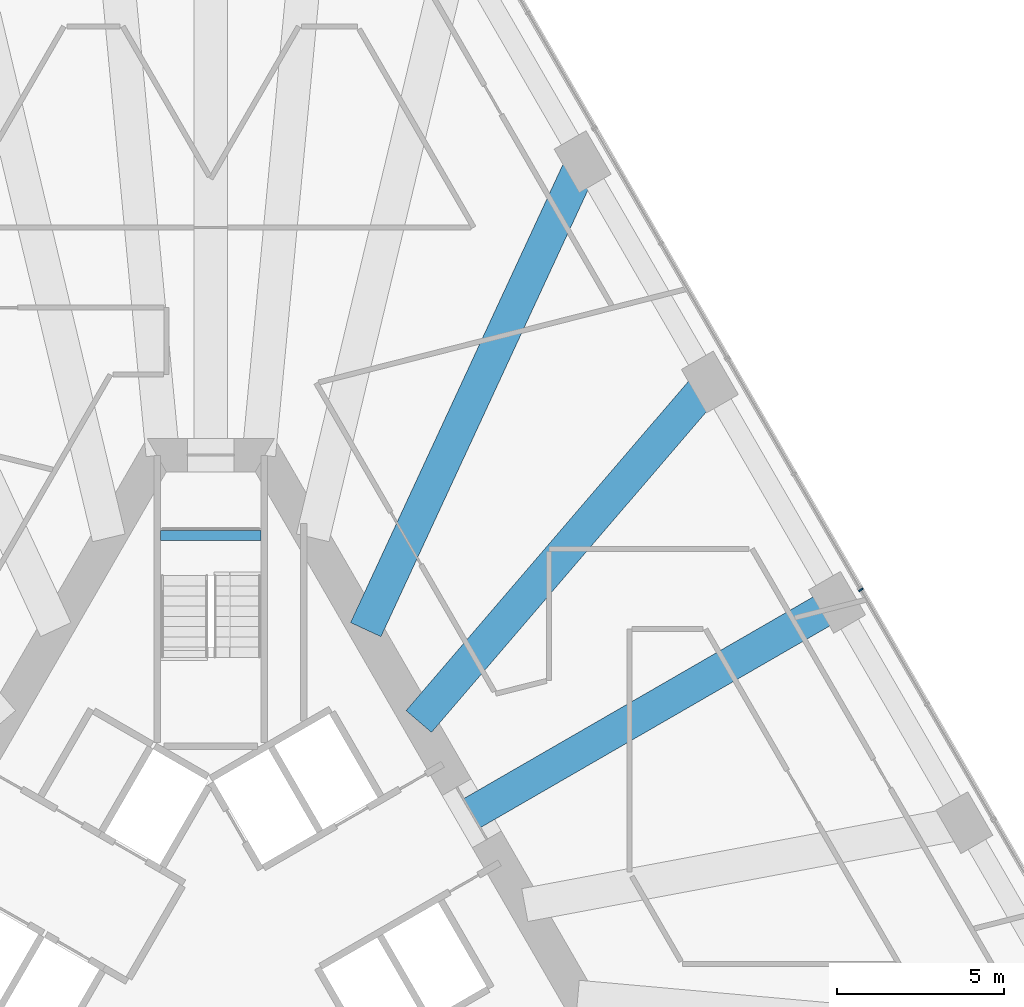
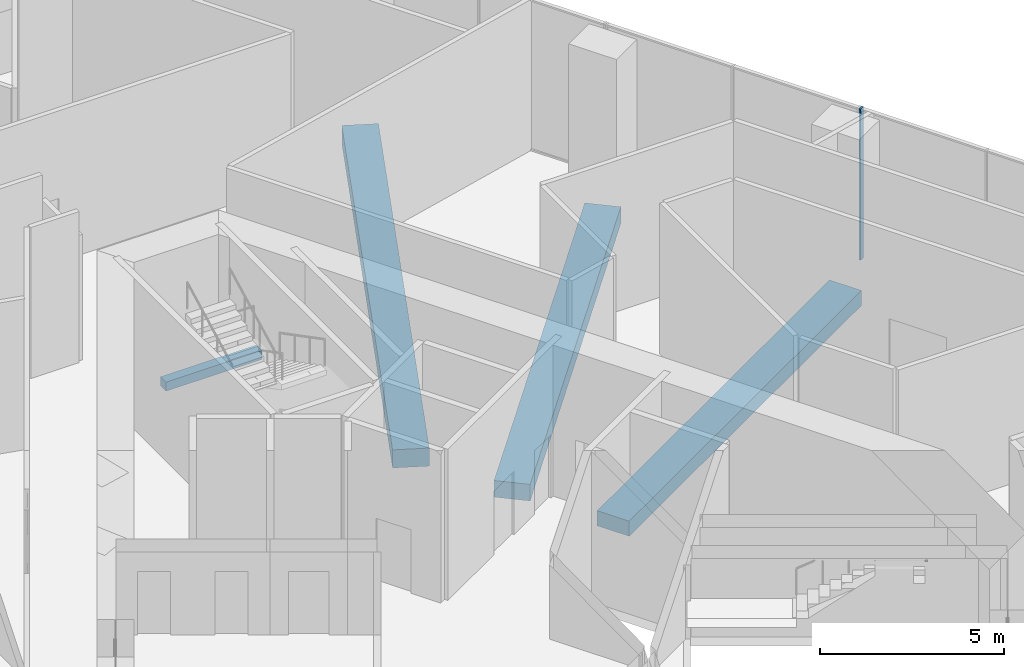
# One storey, part 13 of 32: 4 beams, 1 member, 1 element without a shape of its own.
"""IFC4 building model written with IfcOpenShell, lengths in metres."""

from ifc_helpers import new_model, si_unit, direction, frame, origin, origin_2d, place, context, subcontext, project, spatial, rectangle, extrude, material, layer, layer_set, material_profile, profile_set, type_object, element, aggregate, save


model = new_model("IFC4")

# Units and contexts
model_context = context("Model", 3, precision=1e-05, world=origin(), true_north=direction((0.0, 1.0)))
body_context = subcontext(model_context, "Body", "Model", "MODEL_VIEW")
ifc_project = project(units=[si_unit("LENGTHUNIT", "METRE"), si_unit("AREAUNIT", "SQUARE_METRE"), si_unit("VOLUMEUNIT", "CUBIC_METRE"), si_unit("PLANEANGLEUNIT", "RADIAN"), si_unit("MASSUNIT", "GRAM", prefix="KILO")], contexts=[model_context])

# Site, building, storey
site_placement = place(None, origin())
site = spatial("IfcSite", under=ifc_project, at=site_placement, CompositionType="ELEMENT")
building_placement = place(site_placement, origin())
building = spatial("IfcBuilding", under=site, at=building_placement, Name="Triada Interchange Tower", CompositionType="ELEMENT")
storey_placement = place(building_placement, frame((0.0, 0.0, 14.5)))
storey = spatial("IfcBuildingStorey", under=building, at=storey_placement, Name="L02", CompositionType="ELEMENT", Elevation=14.5)

# Beam
ifc_material_1 = material(Name="Concrete C35/45", Category="concrete")
ifc_material_profile_1 = material_profile(ifc_material_1, rectangle(XDim=0.300048828125, YDim=0.300048828125, at=origin_2d()), Name="RC 300x300")
ifc_profile_set_1 = profile_set([ifc_material_profile_1], Name="Concrete C35/45")
beam_type_1 = type_object("IfcBeamType", Name="Landing support beam RC 300x300", PredefinedType="BEAM", material=ifc_profile_set_1)
beam_1_placement = place(storey_placement, frame((1.5, 12.800048828125, 2.191162109375), z_axis=(-1.0, 0.0, 0.0), x_axis=(0.0, -1.0, 0.0)))
element("IfcBeam", 1, at=beam_1_placement, inside=storey, type_object=beam_type_1, Name="Landing support beam S02-1 1", PredefinedType="BEAM", context=body_context, shape_type="SweptSolid", body=[
    extrude(rectangle(XDim=0.300048828125, YDim=0.300048828125, at=origin_2d()), origin(), (0.0, 0.0, 1.0), 3.0),
])

# Curtain wall, member
ifc_material_2 = material(Name="Aluminium framed glazing", Category="aluminium")
ifc_layer = layer(ifc_material_2, 0.199951171875)
ifc_layer_set = layer_set([ifc_layer], Name="Curtain wall Retail shopfront")
curtain_wall_type = type_object("IfcCurtainWallType", Name="Curtain wall Retail shopfront", PredefinedType="NOTDEFINED", material=ifc_layer_set)
curtain_wall_placement = place(storey_placement, origin())
curtain_wall = element("IfcCurtainWall", 2, at=curtain_wall_placement, inside=storey, type_object=curtain_wall_type, Name="Retail shopfront CW016 L02", PredefinedType="NOTDEFINED")
ifc_material_3 = material(Name="Aluminium", Category="aluminium")
ifc_material_profile_2 = material_profile(ifc_material_3, rectangle(XDim=0.14990234375, YDim=0.050048828125, at=origin_2d()), Name="Aluminium mullion")
ifc_profile_set_2 = profile_set([ifc_material_profile_2], Name="Aluminium")
member_type = type_object("IfcMemberType", Name="Mullion Retail shopfront 150x50", PredefinedType="MULLION", material=ifc_profile_set_2)
member_placement = place(storey_placement, frame((19.41455078125, 11.17431640625, 0.0), z_axis=(0.0, 0.0, 1.0), x_axis=(-0.866086968603, -0.499893351442, 0.0)))
member = element("IfcMember", 3, at=member_placement, type_object=member_type, Name="CW016 mullion 3", PredefinedType="MULLION", context=body_context, shape_type="SweptSolid", body=[
    extrude(rectangle(XDim=0.14990234375, YDim=0.050048828125, at=origin_2d()), origin(), (0.0, 0.0, 1.0), 5.0),
])
aggregate(curtain_wall, [member])

# Beams
ifc_material_4 = material(Name="Concrete C50/60", Category="concrete")
ifc_material_profile_3 = material_profile(ifc_material_4, rectangle(XDim=1.0, YDim=0.5, at=origin_2d()), Name="RC 1000x500")
ifc_profile_set_3 = profile_set([ifc_material_profile_3], Name="Concrete C50/60")
beam_type_2 = type_object("IfcBeamType", Name="Radial band beam P RC 1000x500", PredefinedType="BEAM", material=ifc_profile_set_3)
beam_2_placement = place(storey_placement, frame((18.7060546875, 10.800048828125, -0.64990234375), z_axis=(-0.866027481415, -0.499996401421, 0.0), x_axis=(0.499996401421, -0.866027481415, 0.0)))
element("IfcBeam", 4, at=beam_2_placement, inside=storey, type_object=beam_type_2, Name="Radial band beam BP25 L02", PredefinedType="BEAM", context=body_context, shape_type="SweptSolid", body=[
    extrude(rectangle(XDim=1.0, YDim=0.5, at=origin_2d()), origin(), (0.0, 0.0, 1.0), 12.60009765625),
])
ifc_material_profile_4 = material_profile(ifc_material_4, rectangle(XDim=1.0, YDim=0.550048828125, at=origin_2d()), Name="RC 1000x550")
ifc_profile_set_4 = profile_set([ifc_material_profile_4], Name="Concrete C50/60")
beam_type_3 = type_object("IfcBeamType", Name="Radial band beam P RC 1000x550", PredefinedType="BEAM", material=ifc_profile_set_4)
beam_3_placement = place(storey_placement, frame((14.906005859375, 17.381103515625, -0.675048828125), z_axis=(-0.650979511823, -0.759095300464, 0.0), x_axis=(0.759095300464, -0.650979511823, 0.0)))
element("IfcBeam", 5, at=beam_3_placement, inside=storey, type_object=beam_type_3, Name="Radial band beam BP26 L02", PredefinedType="BEAM", context=body_context, shape_type="SweptSolid", body=[
    extrude(rectangle(XDim=1.0, YDim=0.550048828125, at=origin_2d()), origin(), (0.0, 0.0, 1.0), 13.35693359375),
])
ifc_material_profile_5 = material_profile(ifc_material_4, rectangle(XDim=1.0, YDim=0.60009765625, at=origin_2d()), Name="RC 1000x600")
ifc_profile_set_5 = profile_set([ifc_material_profile_5], Name="Concrete C50/60")
beam_type_4 = type_object("IfcBeamType", Name="Radial band beam P RC 1000x600", PredefinedType="BEAM", material=ifc_profile_set_5)
beam_4_placement = place(storey_placement, frame((11.10595703125, 23.9619140625, -0.699951171875), z_axis=(-0.420512879237, -0.90728656906, 0.0), x_axis=(0.90728656906, -0.420512879237, 0.0)))
element("IfcBeam", 6, at=beam_4_placement, inside=storey, type_object=beam_type_4, Name="Radial band beam BP27 L02", PredefinedType="BEAM", context=body_context, shape_type="SweptSolid", body=[
    extrude(rectangle(XDim=1.0, YDim=0.60009765625, at=origin_2d()), origin(), (0.0, 0.0, 1.0), 15.405029296875),
])

save(model, "model.ifc")
